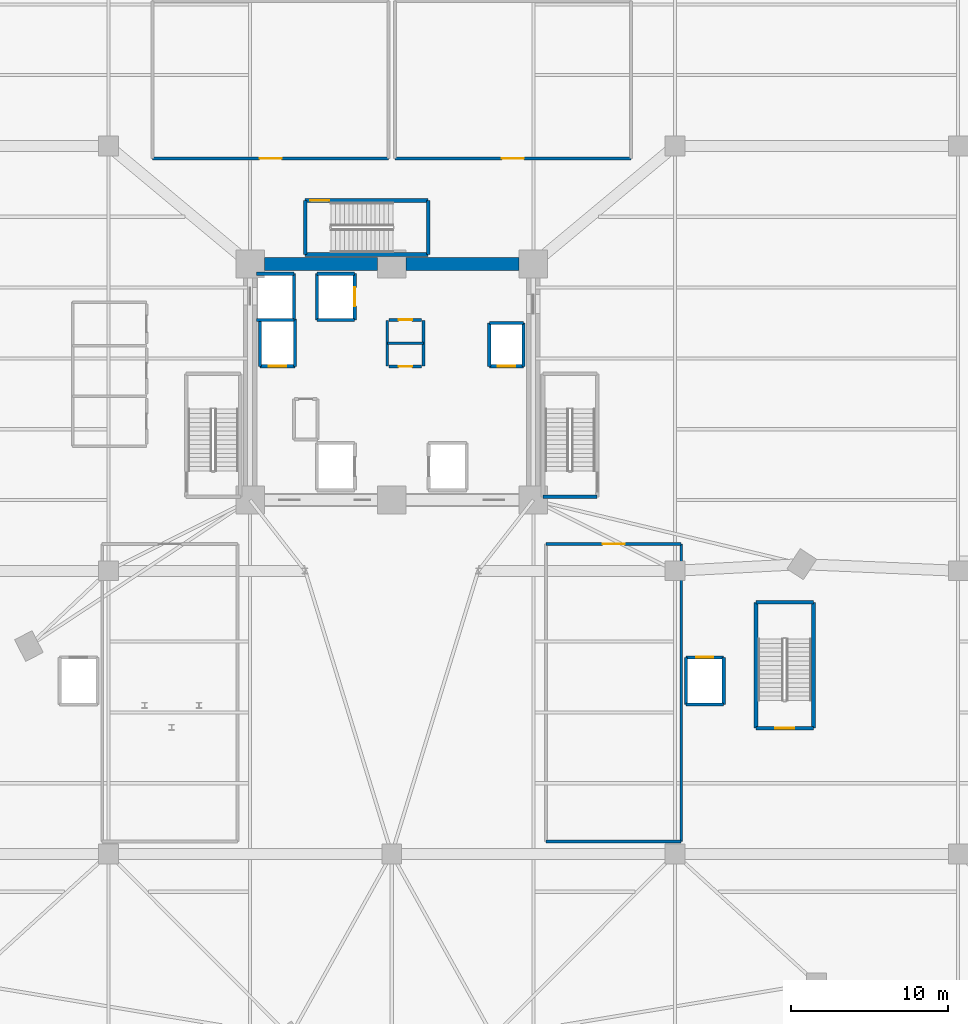
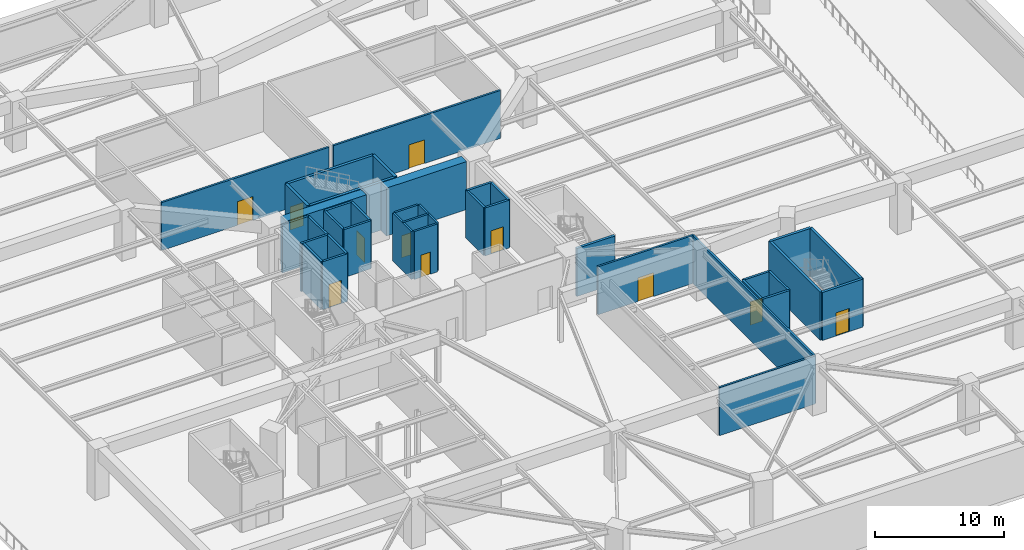
# One storey, part 13 of 20: 39 walls, 11 doors, 11 openings.
"""IFC4 building model written with IfcOpenShell, lengths in metres."""

from ifc_helpers import new_model, si_unit, direction, frame, frame_2d, origin, place, context, subcontext, project, spatial, rectangle, extrude, source, transform, mapped, material, layer, layer_set, type_object, element, fill, save


model = new_model("IFC4")

# Units and contexts
model_context = context("Model", 3, precision=1e-05, world=origin(), true_north=direction((0.0, 1.0)))
body_context = subcontext(model_context, "Body", "Model", "MODEL_VIEW")
ifc_project = project(units=[si_unit("LENGTHUNIT", "METRE"), si_unit("AREAUNIT", "SQUARE_METRE"), si_unit("VOLUMEUNIT", "CUBIC_METRE"), si_unit("PLANEANGLEUNIT", "RADIAN"), si_unit("MASSUNIT", "GRAM", prefix="KILO")], contexts=[model_context])

# Site, building, storey
site_placement = place(None, origin())
site = spatial("IfcSite", under=ifc_project, at=site_placement, CompositionType="ELEMENT")
building_placement = place(site_placement, origin())
building = spatial("IfcBuilding", under=site, at=building_placement, Name="Liaohun Quay Tower", CompositionType="ELEMENT")
storey_placement = place(building_placement, frame((0.0, 0.0, -4.800048828125)))
storey = spatial("IfcBuildingStorey", under=building, at=storey_placement, Name="B1", CompositionType="ELEMENT", Elevation=-4.800048828125)

# Walls
ifc_material_1 = material(Name="Concrete C60", Category="concrete")
ifc_layer_1 = layer(ifc_material_1, 0.85009765625, Name="Concrete C60", Category="concrete")
ifc_layer_set_1 = layer_set([ifc_layer_1], Name="Concrete C60")
wall_type_1 = type_object("IfcWallType", Name="WAL-COR-Z1", PredefinedType="SHEAR", material=ifc_layer_set_1)
for number, where, z_axis, x_axis, name in (
    (1, (51.89990234375, 61.5, 0.0), (0.0, 0.0, 1.0), (1.0, 0.0, 0.0), "B1 Central Core Shear Wall N-W"),
    (2, (60.89990234375, 61.5, 0.0), (0.0, 0.0, 1.0), (1.0, 0.0, 0.0), "B1 Central Core Shear Wall N-E"),
):
    element("IfcWall", number, at=place(storey_placement, frame(where, z_axis=z_axis, x_axis=x_axis)), inside=storey, type_object=wall_type_1, Name=name, PredefinedType="SHEAR", context=body_context, shape_type="SweptSolid", body=[
        extrude(rectangle(XDim=7.2001953125, YDim=0.85009765625, at=frame_2d((3.60009765625, 0.0))), origin(), (0.0, 0.0, 1.0), 4.550048828125),
    ])

# Wall, opening, door
ifc_material_2 = material(Name="Autoclaved aerated concrete blockwork", Category="masonry")
ifc_layer_2 = layer(ifc_material_2, 0.179931640625, Name="Autoclaved aerated concrete blockwork", Category="masonry")
ifc_layer_set_2 = layer_set([ifc_layer_2], Name="Autoclaved aerated concrete blockwork")
wall_type_2 = type_object("IfcWallType", Name="WAL-PRT-COR", PredefinedType="PARTITIONING", material=ifc_layer_set_2)
wall_1_placement = place(storey_placement, frame((59.840087890625, 54.97998046875, 0.0), z_axis=(0.0, 0.0, 1.0), x_axis=(1.0, 0.0, 0.0)))
wall_1 = element("IfcWall", 3, at=wall_1_placement, inside=storey, type_object=wall_type_2, Name="B1 Interior Partition Wall 001", PredefinedType="PARTITIONING", context=body_context, shape_type="SweptSolid", body=[
    extrude(rectangle(XDim=2.059814453125, YDim=0.179931640625, at=frame_2d((1.02978515625, 0.0))), origin(), (0.0, 0.0, 1.0), 4.550048828125),
])
shared_shape_1 = source(origin(), body_context, "Body", "SweptSolid", [
    extrude(rectangle(XDim=0.85009765625, YDim=2.10009765625, at=frame_2d((0.425048828125, 1.050048828125))), frame((0.0, 0.099853515625, 0.0), z_axis=(0.0, -1.0, 0.0), x_axis=(1.0, 0.0, 0.0)), (0.0, 0.0, 1.0), 0.199951171875),
])
opening_1_placement = place(wall_1_placement, frame((0.60498046875, 0.0, 0.0)))
opening_1 = element("IfcOpeningElement", 4, at=opening_1_placement, cuts=wall_1, Name="Opening AD1", PredefinedType="OPENING", context=body_context, shape_type="MappedRepresentation", body=[
    mapped(shared_shape_1, transform((0.0, 0.0, 0.0), x_axis=(1.0, 0.0, 0.0), y_axis=(0.0, 1.0, 0.0), z_axis=(0.0, 0.0, 1.0), scale=1.0)),
])
ifc_material_3 = material(Name="Steel riser inspection fire door", Category="steel")
door_type_1 = type_object("IfcDoorType", Name="DOR-SHF-850", OperationType="NOTDEFINED", PredefinedType="DOOR", material=ifc_material_3)
shared_shape_2 = source(origin(), body_context, "Body", "SweptSolid", [
    extrude(rectangle(XDim=0.85009765625, YDim=2.10009765625, at=frame_2d((0.425048828125, 1.050048828125))), frame((0.0, 0.02490234375, 0.0), z_axis=(0.0, -1.0, 0.0), x_axis=(1.0, 0.0, 0.0)), (0.0, 0.0, 1.0), 0.050048828125),
])
door_1_placement = place(opening_1_placement, origin())
door_1 = element("IfcDoor", 5, at=door_1_placement, inside=storey, type_object=door_type_1, Name="B1 Electrical Riser Room Door", OperationType="SINGLE_SWING_RIGHT", OverallHeight=2.10009765625, OverallWidth=0.85009765625, PredefinedType="DOOR", context=body_context, shape_type="MappedRepresentation", body=[
    mapped(shared_shape_2, transform((0.0, 0.0, 0.0), x_axis=(1.0, 0.0, 0.0), y_axis=(0.0, 1.0, 0.0), z_axis=(0.0, 0.0, 1.0), scale=1.0)),
])
fill(opening_1, door_1)

wall_2_placement = place(storey_placement, frame((59.840087890625, 57.949951171875, 0.0), z_axis=(0.0, 0.0, 1.0), x_axis=(1.0, 0.0, 0.0)))
wall_2 = element("IfcWall", 6, at=wall_2_placement, inside=storey, type_object=wall_type_2, Name="B1 Interior Partition Wall 002", PredefinedType="PARTITIONING", context=body_context, shape_type="SweptSolid", body=[
    extrude(rectangle(XDim=2.059814453125, YDim=0.179931640625, at=frame_2d((1.02978515625, 0.0))), origin(), (0.0, 0.0, 1.0), 4.550048828125),
])
opening_2_placement = place(wall_2_placement, frame((0.60498046875, 0.0, 0.0)))
opening_2 = element("IfcOpeningElement", 7, at=opening_2_placement, cuts=wall_2, Name="Opening AD1", PredefinedType="OPENING", context=body_context, shape_type="MappedRepresentation", body=[
    mapped(shared_shape_1, transform((0.0, 0.0, 0.0), x_axis=(1.0, 0.0, 0.0), y_axis=(0.0, 1.0, 0.0), z_axis=(0.0, 0.0, 1.0), scale=1.0)),
])
door_2_placement = place(opening_2_placement, origin())
door_2 = element("IfcDoor", 8, at=door_2_placement, inside=storey, type_object=door_type_1, Name="B1 Telecom Comms Closet Door", OperationType="SINGLE_SWING_LEFT", OverallHeight=2.10009765625, OverallWidth=0.85009765625, PredefinedType="DOOR", context=body_context, shape_type="MappedRepresentation", body=[
    mapped(shared_shape_2, transform((0.0, 0.0, 0.0), x_axis=(1.0, 0.0, 0.0), y_axis=(0.0, 1.0, 0.0), z_axis=(0.0, 0.0, 1.0), scale=1.0)),
])
fill(opening_2, door_2)

wall_3_placement = place(storey_placement, frame((69.800048828125, 43.699951171875, 0.0), z_axis=(0.0, 0.0, 1.0), x_axis=(1.0, 0.0, 0.0)))
wall_3 = element("IfcWall", 9, at=wall_3_placement, inside=storey, type_object=wall_type_2, Name="B1 Interior Partition Wall 008", PredefinedType="PARTITIONING", context=body_context, shape_type="SweptSolid", body=[
    extrude(rectangle(XDim=8.599853515625, YDim=0.179931640625, at=frame_2d((4.2998046875, 0.0))), origin(), (0.0, 0.0, 1.0), 4.550048828125),
])
shared_shape_3 = source(origin(), body_context, "Body", "SweptSolid", [
    extrude(rectangle(XDim=1.39990234375, YDim=2.25, at=frame_2d((0.699951171875, 1.125))), frame((0.0, 0.099853515625, 0.0), z_axis=(0.0, -1.0, 0.0), x_axis=(1.0, 0.0, 0.0)), (0.0, 0.0, 1.0), 0.199951171875),
])
opening_3_placement = place(wall_3_placement, frame((3.60009765625, 0.0, 0.0)))
opening_3 = element("IfcOpeningElement", 10, at=opening_3_placement, cuts=wall_3, Name="Opening MD1", PredefinedType="OPENING", context=body_context, shape_type="MappedRepresentation", body=[
    mapped(shared_shape_3, transform((0.0, 0.0, 0.0), x_axis=(1.0, 0.0, 0.0), y_axis=(0.0, 1.0, 0.0), z_axis=(0.0, 0.0, 1.0), scale=1.0)),
])
ifc_material_4 = material(Name="Insulated steel plant room door", Category="steel")
door_type_2 = type_object("IfcDoorType", Name="DOR-MEP-1400", OperationType="DOUBLE_DOOR_SINGLE_SWING", PredefinedType="DOOR", material=ifc_material_4)
shared_shape_4 = source(origin(), body_context, "Body", "SweptSolid", [
    extrude(rectangle(XDim=1.39990234375, YDim=2.25, at=frame_2d((0.699951171875, 1.125))), frame((0.0, 0.02490234375, 0.0), z_axis=(0.0, -1.0, 0.0), x_axis=(1.0, 0.0, 0.0)), (0.0, 0.0, 1.0), 0.050048828125),
])
door_3_placement = place(opening_3_placement, origin())
door_3 = element("IfcDoor", 11, at=door_3_placement, inside=storey, type_object=door_type_2, Name="B1 Fire Sprinkler and Domestic Water Pump Room Door", OperationType="DOUBLE_DOOR_SINGLE_SWING", OverallHeight=2.25, OverallWidth=1.39990234375, PredefinedType="DOOR", context=body_context, shape_type="MappedRepresentation", body=[
    mapped(shared_shape_4, transform((0.0, 0.0, 0.0), x_axis=(1.0, 0.0, 0.0), y_axis=(0.0, 1.0, 0.0), z_axis=(0.0, 0.0, 1.0), scale=1.0)),
])
fill(opening_3, door_3)

wall_4_placement = place(storey_placement, frame((44.800048828125, 68.199951171875, 0.0), z_axis=(0.0, 0.0, 1.0), x_axis=(1.0, 0.0, 0.0)))
wall_4 = element("IfcWall", 12, at=wall_4_placement, inside=storey, type_object=wall_type_2, Name="B1 Interior Partition Wall 009", PredefinedType="PARTITIONING", context=body_context, shape_type="SweptSolid", body=[
    extrude(rectangle(XDim=15.0, YDim=0.179931640625, at=frame_2d((7.5, 0.0))), origin(), (0.0, 0.0, 1.0), 4.550048828125),
])
opening_4_placement = place(wall_4_placement, frame((6.800048828125, 0.0, 0.0)))
opening_4 = element("IfcOpeningElement", 13, at=opening_4_placement, cuts=wall_4, Name="Opening MD1", PredefinedType="OPENING", context=body_context, shape_type="MappedRepresentation", body=[
    mapped(shared_shape_3, transform((0.0, 0.0, 0.0), x_axis=(1.0, 0.0, 0.0), y_axis=(0.0, 1.0, 0.0), z_axis=(0.0, 0.0, 1.0), scale=1.0)),
])
door_4_placement = place(opening_4_placement, origin())
door_4 = element("IfcDoor", 14, at=door_4_placement, inside=storey, type_object=door_type_2, Name="B1 Low-Voltage Switchgear and UPS Plant Room Door", OperationType="DOUBLE_DOOR_SINGLE_SWING", OverallHeight=2.25, OverallWidth=1.39990234375, PredefinedType="DOOR", context=body_context, shape_type="MappedRepresentation", body=[
    mapped(shared_shape_4, transform((0.0, 0.0, 0.0), x_axis=(1.0, 0.0, 0.0), y_axis=(0.0, 1.0, 0.0), z_axis=(0.0, 0.0, 1.0), scale=1.0)),
])
fill(opening_4, door_4)

wall_5_placement = place(storey_placement, frame((60.199951171875, 68.199951171875, 0.0), z_axis=(0.0, 0.0, 1.0), x_axis=(1.0, 0.0, 0.0)))
wall_5 = element("IfcWall", 15, at=wall_5_placement, inside=storey, type_object=wall_type_2, Name="B1 Interior Partition Wall 010", PredefinedType="PARTITIONING", context=body_context, shape_type="SweptSolid", body=[
    extrude(rectangle(XDim=15.0, YDim=0.179931640625, at=frame_2d((7.5, 0.0))), origin(), (0.0, 0.0, 1.0), 4.550048828125),
])
opening_5_placement = place(wall_5_placement, frame((6.800048828125, 0.0, 0.0)))
opening_5 = element("IfcOpeningElement", 16, at=opening_5_placement, cuts=wall_5, Name="Opening MD1", PredefinedType="OPENING", context=body_context, shape_type="MappedRepresentation", body=[
    mapped(shared_shape_3, transform((0.0, 0.0, 0.0), x_axis=(1.0, 0.0, 0.0), y_axis=(0.0, 1.0, 0.0), z_axis=(0.0, 0.0, 1.0), scale=1.0)),
])
door_5_placement = place(opening_5_placement, origin())
door_5 = element("IfcDoor", 17, at=door_5_placement, inside=storey, type_object=door_type_2, Name="B1 Basement Facilities Archive and Bicycle Store Door", OperationType="DOUBLE_DOOR_SINGLE_SWING", OverallHeight=2.25, OverallWidth=1.39990234375, PredefinedType="DOOR", context=body_context, shape_type="MappedRepresentation", body=[
    mapped(shared_shape_4, transform((0.0, 0.0, 0.0), x_axis=(1.0, 0.0, 0.0), y_axis=(0.0, 1.0, 0.0), z_axis=(0.0, 0.0, 1.0), scale=1.0)),
])
fill(opening_5, door_5)

# Walls
for number, where, z_axis, x_axis, name in (
    (18, (59.719970703125, 55.02001953125, 0.0), (0.0, 0.0, 1.0), (0.0, 1.0, 0.0), "B1 Interior Partition Wall 011"),
    (19, (62.010009765625, 55.02001953125, 0.0), (0.0, 0.0, 1.0), (0.0, 1.0, 0.0), "B1 Interior Partition Wall 012"),
):
    element("IfcWall", number, at=place(storey_placement, frame(where, z_axis=z_axis, x_axis=x_axis)), inside=storey, type_object=wall_type_2, Name=name, PredefinedType="PARTITIONING", context=body_context, shape_type="SweptSolid", body=[
        extrude(rectangle(XDim=2.8798828125, YDim=0.179931640625, at=frame_2d((1.43994140625, 0.0))), origin(), (0.0, 0.0, 1.0), 4.550048828125),
    ])
wall_6_placement = place(storey_placement, frame((59.719970703125, 56.4599609375, 0.0), z_axis=(0.0, 0.0, 1.0), x_axis=(1.0, 0.0, 0.0)))
element("IfcWall", 20, at=wall_6_placement, inside=storey, type_object=wall_type_2, Name="B1 Interior Partition Wall 013", PredefinedType="PARTITIONING", context=body_context, shape_type="SweptSolid", body=[
    extrude(rectangle(XDim=2.2900390625, YDim=0.179931640625, at=frame_2d((1.14501953125, 0.0))), origin(), (0.0, 0.0, 1.0), 4.550048828125),
])
wall_7_placement = place(storey_placement, frame((69.800048828125, 24.800048828125, 0.0), z_axis=(0.0, 0.0, 1.0), x_axis=(1.0, 0.0, 0.0)))
element("IfcWall", 21, at=wall_7_placement, inside=storey, type_object=wall_type_2, Name="B1 Interior Partition Wall 025", PredefinedType="PARTITIONING", context=body_context, shape_type="SweptSolid", body=[
    extrude(rectangle(XDim=8.599853515625, YDim=0.179931640625, at=frame_2d((4.2998046875, 0.0))), origin(), (0.0, 0.0, 1.0), 4.550048828125),
])
wall_8_placement = place(storey_placement, frame((78.39990234375, 24.800048828125, 0.0), z_axis=(0.0, 0.0, 1.0), x_axis=(0.0, 1.0, 0.0)))
element("IfcWall", 22, at=wall_8_placement, inside=storey, type_object=wall_type_2, Name="B1 Interior Partition Wall 027", PredefinedType="PARTITIONING", context=body_context, shape_type="SweptSolid", body=[
    extrude(rectangle(XDim=18.89990234375, YDim=0.179931640625, at=frame_2d((9.449951171875, 0.0))), origin(), (0.0, 0.0, 1.0), 4.550048828125),
])
ifc_material_5 = material(Name="Concrete C50", Category="concrete")
ifc_layer_3 = layer(ifc_material_5, 0.239990234375, Name="Concrete C50", Category="concrete")
ifc_layer_set_3 = layer_set([ifc_layer_3], Name="Concrete C50")
wall_type_3 = type_object("IfcWallType", Name="WAL-SHF-200", PredefinedType="SOLIDWALL", material=ifc_layer_set_3)
wall_9_placement = place(storey_placement, frame((69.6201171875, 46.699951171875, 0.0), z_axis=(0.0, 0.0, 1.0), x_axis=(1.0, 0.0, 0.0)))
element("IfcWall", 23, at=wall_9_placement, inside=storey, type_object=wall_type_3, Name="B1 Stairwell ST-2 Structural Core Wall S", PredefinedType="SOLIDWALL", context=body_context, shape_type="SweptSolid", body=[
    extrude(rectangle(XDim=3.43994140625, YDim=0.239990234375, at=frame_2d((1.719970703125, 0.0))), origin(), (0.0, 0.0, 1.0), 4.550048828125),
])
wall_10_placement = place(storey_placement, frame((54.5, 62.10009765625, 0.0), z_axis=(0.0, 0.0, 1.0), x_axis=(1.0, 0.0, 0.0)))
element("IfcWall", 24, at=wall_10_placement, inside=storey, type_object=wall_type_3, Name="B1 Stairwell ST-3 Structural Core Wall S", PredefinedType="SOLIDWALL", context=body_context, shape_type="SweptSolid", body=[
    extrude(rectangle(XDim=7.820068359375, YDim=0.239990234375, at=frame_2d((3.91015625, 0.0))), origin(), (0.0, 0.0, 1.0), 4.550048828125),
])
wall_11_placement = place(storey_placement, frame((62.320068359375, 62.10009765625, 0.0), z_axis=(0.0, 0.0, 1.0), x_axis=(0.0, 1.0, 0.0)))
element("IfcWall", 25, at=wall_11_placement, inside=storey, type_object=wall_type_3, Name="B1 Stairwell ST-3 Structural Core Wall E", PredefinedType="SOLIDWALL", context=body_context, shape_type="SweptSolid", body=[
    extrude(rectangle(XDim=3.43994140625, YDim=0.239990234375, at=frame_2d((1.719970703125, 0.0))), origin(), (0.0, 0.0, 1.0), 4.550048828125),
])

# Wall, opening, door
wall_12_placement = place(storey_placement, frame((62.320068359375, 65.5400390625, 0.0), z_axis=(0.0, 0.0, 1.0), x_axis=(-1.0, 0.0, 0.0)))
wall_12 = element("IfcWall", 26, at=wall_12_placement, inside=storey, type_object=wall_type_3, Name="B1 Stairwell ST-3 Structural Core Wall N", PredefinedType="SOLIDWALL", context=body_context, shape_type="SweptSolid", body=[
    extrude(rectangle(XDim=7.820068359375, YDim=0.239990234375, at=frame_2d((3.91015625, 0.0))), origin(), (0.0, 0.0, 1.0), 4.550048828125),
])
shared_shape_5 = source(origin(), body_context, "Body", "SweptSolid", [
    extrude(rectangle(XDim=1.199951171875, YDim=2.199951171875, at=frame_2d((0.60009765625, 1.10009765625))), frame((0.0, 0.1298828125, 0.0), z_axis=(0.0, -1.0, 0.0), x_axis=(1.0, 0.0, 0.0)), (0.0, 0.0, 1.0), 0.260009765625),
])
opening_6_placement = place(wall_12_placement, frame((6.300048828125, 0.0, 0.0)))
opening_6 = element("IfcOpeningElement", 27, at=opening_6_placement, cuts=wall_12, Name="Opening SD1", PredefinedType="OPENING", context=body_context, shape_type="MappedRepresentation", body=[
    mapped(shared_shape_5, transform((0.0, 0.0, 0.0), x_axis=(1.0, 0.0, 0.0), y_axis=(0.0, 1.0, 0.0), z_axis=(0.0, 0.0, 1.0), scale=1.0)),
])
ifc_material_6 = material(Name="Galvanised steel fire door", Category="steel")
door_type_3 = type_object("IfcDoorType", Name="DOR-STR-1200", OperationType="NOTDEFINED", PredefinedType="DOOR", material=ifc_material_6)
shared_shape_6 = source(origin(), body_context, "Body", "SweptSolid", [
    extrude(rectangle(XDim=1.199951171875, YDim=2.199951171875, at=frame_2d((0.60009765625, 1.10009765625))), frame((0.0, 0.02490234375, 0.0), z_axis=(0.0, -1.0, 0.0), x_axis=(1.0, 0.0, 0.0)), (0.0, 0.0, 1.0), 0.050048828125),
])
door_6_placement = place(opening_6_placement, origin())
door_6 = element("IfcDoor", 28, at=door_6_placement, inside=storey, type_object=door_type_3, Name="B1 Protected Stair ST-3 Fire Door", OperationType="SINGLE_SWING_RIGHT", OverallHeight=2.199951171875, OverallWidth=1.199951171875, PredefinedType="DOOR", context=body_context, shape_type="MappedRepresentation", body=[
    mapped(shared_shape_6, transform((0.0, 0.0, 0.0), x_axis=(1.0, 0.0, 0.0), y_axis=(0.0, 1.0, 0.0), z_axis=(0.0, 0.0, 1.0), scale=1.0)),
])
fill(opening_6, door_6)

# Wall
wall_13_placement = place(storey_placement, frame((54.5, 65.5400390625, 0.0), z_axis=(0.0, 0.0, 1.0), x_axis=(0.0, -1.0, 0.0)))
element("IfcWall", 29, at=wall_13_placement, inside=storey, type_object=wall_type_3, Name="B1 Stairwell ST-3 Structural Core Wall W", PredefinedType="SOLIDWALL", context=body_context, shape_type="SweptSolid", body=[
    extrude(rectangle(XDim=3.43994140625, YDim=0.239990234375, at=frame_2d((1.719970703125, 0.0))), origin(), (0.0, 0.0, 1.0), 4.550048828125),
])

# Wall, opening, door
wall_14_placement = place(storey_placement, frame((83.159912109375, 32.0, 0.0), z_axis=(0.0, 0.0, 1.0), x_axis=(1.0, 0.0, 0.0)))
wall_14 = element("IfcWall", 30, at=wall_14_placement, inside=storey, type_object=wall_type_3, Name="B1 Stairwell ST-P2 Structural Core Wall S", PredefinedType="SOLIDWALL", context=body_context, shape_type="SweptSolid", body=[
    extrude(rectangle(XDim=3.64013671875, YDim=0.239990234375, at=frame_2d((1.820068359375, 0.0))), origin(), (0.0, 0.0, 1.0), 4.550048828125),
])
opening_7_placement = place(wall_14_placement, frame((1.219970703125, 0.0, 0.0)))
opening_7 = element("IfcOpeningElement", 31, at=opening_7_placement, cuts=wall_14, Name="Opening SD1", PredefinedType="OPENING", context=body_context, shape_type="MappedRepresentation", body=[
    mapped(shared_shape_5, transform((0.0, 0.0, 0.0), x_axis=(1.0, 0.0, 0.0), y_axis=(0.0, 1.0, 0.0), z_axis=(0.0, 0.0, 1.0), scale=1.0)),
])
door_7_placement = place(opening_7_placement, origin())
door_7 = element("IfcDoor", 32, at=door_7_placement, inside=storey, type_object=door_type_3, Name="B1 Protected Stair ST-P2 Fire Door", OperationType="SINGLE_SWING_RIGHT", OverallHeight=2.199951171875, OverallWidth=1.199951171875, PredefinedType="DOOR", context=body_context, shape_type="MappedRepresentation", body=[
    mapped(shared_shape_6, transform((0.0, 0.0, 0.0), x_axis=(1.0, 0.0, 0.0), y_axis=(0.0, 1.0, 0.0), z_axis=(0.0, 0.0, 1.0), scale=1.0)),
])
fill(opening_7, door_7)

# Walls
wall_15_placement = place(storey_placement, frame((86.800048828125, 32.0, 0.0), z_axis=(0.0, 0.0, 1.0), x_axis=(0.0, 1.0, 0.0)))
element("IfcWall", 33, at=wall_15_placement, inside=storey, type_object=wall_type_3, Name="B1 Stairwell ST-P2 Structural Core Wall E", PredefinedType="SOLIDWALL", context=body_context, shape_type="SweptSolid", body=[
    extrude(rectangle(XDim=8.0, YDim=0.239990234375, at=frame_2d((4.0, 0.0))), origin(), (0.0, 0.0, 1.0), 4.550048828125),
])
wall_16_placement = place(storey_placement, frame((86.800048828125, 40.0, 0.0), z_axis=(0.0, 0.0, 1.0), x_axis=(-1.0, 0.0, 0.0)))
element("IfcWall", 34, at=wall_16_placement, inside=storey, type_object=wall_type_3, Name="B1 Stairwell ST-P2 Structural Core Wall N", PredefinedType="SOLIDWALL", context=body_context, shape_type="SweptSolid", body=[
    extrude(rectangle(XDim=3.64013671875, YDim=0.239990234375, at=frame_2d((1.820068359375, 0.0))), origin(), (0.0, 0.0, 1.0), 4.550048828125),
])
wall_17_placement = place(storey_placement, frame((83.159912109375, 40.0, 0.0), z_axis=(0.0, 0.0, 1.0), x_axis=(0.0, -1.0, 0.0)))
element("IfcWall", 35, at=wall_17_placement, inside=storey, type_object=wall_type_3, Name="B1 Stairwell ST-P2 Structural Core Wall W", PredefinedType="SOLIDWALL", context=body_context, shape_type="SweptSolid", body=[
    extrude(rectangle(XDim=8.0, YDim=0.239990234375, at=frame_2d((4.0, 0.0))), origin(), (0.0, 0.0, 1.0), 4.550048828125),
])
wall_18_placement = place(storey_placement, frame((55.25, 57.949951171875, 0.0), z_axis=(0.0, 0.0, 1.0), x_axis=(1.0, 0.0, 0.0)))
element("IfcWall", 36, at=wall_18_placement, inside=storey, type_object=wall_type_3, Name="B1 Lift FF-03 Hoistway Wall S", PredefinedType="SOLIDWALL", context=body_context, shape_type="SweptSolid", body=[
    extrude(rectangle(XDim=2.39990234375, YDim=0.199951171875, at=frame_2d((1.199951171875, 0.0))), origin(), (0.0, 0.0, 1.0), 4.550048828125),
])

# Wall, opening, door
wall_19_placement = place(storey_placement, frame((57.64990234375, 57.949951171875, 0.0), z_axis=(0.0, 0.0, 1.0), x_axis=(0.0, 1.0, 0.0)))
wall_19 = element("IfcWall", 37, at=wall_19_placement, inside=storey, type_object=wall_type_3, Name="B1 Lift FF-03 Hoistway Wall E", PredefinedType="SOLIDWALL", context=body_context, shape_type="SweptSolid", body=[
    extrude(rectangle(XDim=2.929931640625, YDim=0.199951171875, at=frame_2d((1.46484375, 0.0))), origin(), (0.0, 0.0, 1.0), 4.550048828125),
])
shared_shape_7 = source(origin(), body_context, "Body", "SweptSolid", [
    extrude(rectangle(XDim=1.199951171875, YDim=2.300048828125, at=frame_2d((0.60009765625, 1.14990234375))), frame((0.0, 0.10986328125, 0.0), z_axis=(0.0, -1.0, 0.0), x_axis=(1.0, 0.0, 0.0)), (0.0, 0.0, 1.0), 0.219970703125),
])
opening_8_placement = place(wall_19_placement, frame((0.864990234375, 0.0, 0.0)))
opening_8 = element("IfcOpeningElement", 38, at=opening_8_placement, cuts=wall_19, Name="Opening LD2", PredefinedType="OPENING", context=body_context, shape_type="MappedRepresentation", body=[
    mapped(shared_shape_7, transform((0.0, 0.0, 0.0), x_axis=(1.0, 0.0, 0.0), y_axis=(0.0, 1.0, 0.0), z_axis=(0.0, 0.0, 1.0), scale=1.0)),
])
ifc_material_7 = material(Name="Brushed stainless steel stretcher landing door", Category="steel")
door_type_4 = type_object("IfcDoorType", Name="DOR-LFT-1200", OperationType="SLIDING_TO_LEFT", PredefinedType="DOOR", material=ifc_material_7)
shared_shape_8 = source(origin(), body_context, "Body", "SweptSolid", [
    extrude(rectangle(XDim=1.199951171875, YDim=2.300048828125, at=frame_2d((0.60009765625, 1.14990234375))), frame((0.0, 0.02490234375, 0.0), z_axis=(0.0, -1.0, 0.0), x_axis=(1.0, 0.0, 0.0)), (0.0, 0.0, 1.0), 0.050048828125),
])
door_8_placement = place(opening_8_placement, origin())
door_8 = element("IfcDoor", 39, at=door_8_placement, inside=storey, type_object=door_type_4, Name="B1 Lift FF-03 Sliding Landing Door", OperationType="SLIDING_TO_LEFT", OverallHeight=2.300048828125, OverallWidth=1.199951171875, PredefinedType="DOOR", context=body_context, shape_type="MappedRepresentation", body=[
    mapped(shared_shape_8, transform((0.0, 0.0, 0.0), x_axis=(1.0, 0.0, 0.0), y_axis=(0.0, 1.0, 0.0), z_axis=(0.0, 0.0, 1.0), scale=1.0)),
])
fill(opening_8, door_8)

# Walls
wall_20_placement = place(storey_placement, frame((57.64990234375, 60.8798828125, 0.0), z_axis=(0.0, 0.0, 1.0), x_axis=(-1.0, 0.0, 0.0)))
element("IfcWall", 40, at=wall_20_placement, inside=storey, type_object=wall_type_3, Name="B1 Lift FF-03 Hoistway Wall N", PredefinedType="SOLIDWALL", context=body_context, shape_type="SweptSolid", body=[
    extrude(rectangle(XDim=2.39990234375, YDim=0.199951171875, at=frame_2d((1.199951171875, 0.0))), origin(), (0.0, 0.0, 1.0), 4.550048828125),
])
wall_21_placement = place(storey_placement, frame((55.25, 60.8798828125, 0.0), z_axis=(0.0, 0.0, 1.0), x_axis=(0.0, -1.0, 0.0)))
element("IfcWall", 41, at=wall_21_placement, inside=storey, type_object=wall_type_3, Name="B1 Lift FF-03 Hoistway Wall W", PredefinedType="SOLIDWALL", context=body_context, shape_type="SweptSolid", body=[
    extrude(rectangle(XDim=2.929931640625, YDim=0.199951171875, at=frame_2d((1.46484375, 0.0))), origin(), (0.0, 0.0, 1.0), 4.550048828125),
])
wall_22_placement = place(storey_placement, frame((51.39990234375, 57.949951171875, 0.0), z_axis=(0.0, 0.0, 1.0), x_axis=(1.0, 0.0, 0.0)))
element("IfcWall", 42, at=wall_22_placement, inside=storey, type_object=wall_type_3, Name="B1 Lift SH-01 Hoistway Wall S", PredefinedType="SOLIDWALL", context=body_context, shape_type="SweptSolid", body=[
    extrude(rectangle(XDim=2.400146484375, YDim=0.199951171875, at=frame_2d((1.2001953125, 0.0))), origin(), (0.0, 0.0, 1.0), 4.550048828125),
])
wall_23_placement = place(storey_placement, frame((53.800048828125, 57.949951171875, 0.0), z_axis=(0.0, 0.0, 1.0), x_axis=(0.0, 1.0, 0.0)))
element("IfcWall", 43, at=wall_23_placement, inside=storey, type_object=wall_type_3, Name="B1 Lift SH-01 Hoistway Wall E", PredefinedType="SOLIDWALL", context=body_context, shape_type="SweptSolid", body=[
    extrude(rectangle(XDim=2.929931640625, YDim=0.199951171875, at=frame_2d((1.46484375, 0.0))), origin(), (0.0, 0.0, 1.0), 4.550048828125),
])
wall_24_placement = place(storey_placement, frame((53.800048828125, 60.8798828125, 0.0), z_axis=(0.0, 0.0, 1.0), x_axis=(-1.0, 0.0, 0.0)))
element("IfcWall", 44, at=wall_24_placement, inside=storey, type_object=wall_type_3, Name="B1 Lift SH-01 Hoistway Wall N", PredefinedType="SOLIDWALL", context=body_context, shape_type="SweptSolid", body=[
    extrude(rectangle(XDim=2.400146484375, YDim=0.199951171875, at=frame_2d((1.2001953125, 0.0))), origin(), (0.0, 0.0, 1.0), 4.550048828125),
])

# Wall, opening, door
wall_25_placement = place(storey_placement, frame((51.6201171875, 55.0, 0.0), z_axis=(0.0, 0.0, 1.0), x_axis=(1.0, 0.0, 0.0)))
wall_25 = element("IfcWall", 45, at=wall_25_placement, inside=storey, type_object=wall_type_3, Name="B1 Lift SH-02 Hoistway Wall S", PredefinedType="SOLIDWALL", context=body_context, shape_type="SweptSolid", body=[
    extrude(rectangle(XDim=2.22998046875, YDim=0.199951171875, at=frame_2d((1.114990234375, 0.0))), origin(), (0.0, 0.0, 1.0), 4.550048828125),
])
shared_shape_9 = source(origin(), body_context, "Body", "SweptSolid", [
    extrude(rectangle(XDim=1.10009765625, YDim=2.199951171875, at=frame_2d((0.550048828125, 1.10009765625))), frame((0.0, 0.10986328125, 0.0), z_axis=(0.0, -1.0, 0.0), x_axis=(1.0, 0.0, 0.0)), (0.0, 0.0, 1.0), 0.219970703125),
])
opening_9_placement = place(wall_25_placement, frame((0.56494140625, 0.0, 0.0)))
opening_9 = element("IfcOpeningElement", 46, at=opening_9_placement, cuts=wall_25, Name="Opening LD1", PredefinedType="OPENING", context=body_context, shape_type="MappedRepresentation", body=[
    mapped(shared_shape_9, transform((0.0, 0.0, 0.0), x_axis=(1.0, 0.0, 0.0), y_axis=(0.0, 1.0, 0.0), z_axis=(0.0, 0.0, 1.0), scale=1.0)),
])
ifc_material_8 = material(Name="Brushed stainless steel landing door", Category="steel")
door_type_5 = type_object("IfcDoorType", Name="DOR-LFT-1100", OperationType="SLIDING_TO_LEFT", PredefinedType="DOOR", material=ifc_material_8)
shared_shape_10 = source(origin(), body_context, "Body", "SweptSolid", [
    extrude(rectangle(XDim=1.10009765625, YDim=2.199951171875, at=frame_2d((0.550048828125, 1.10009765625))), frame((0.0, 0.02490234375, 0.0), z_axis=(0.0, -1.0, 0.0), x_axis=(1.0, 0.0, 0.0)), (0.0, 0.0, 1.0), 0.050048828125),
])
door_9_placement = place(opening_9_placement, origin())
door_9 = element("IfcDoor", 47, at=door_9_placement, inside=storey, type_object=door_type_5, Name="B1 Lift SH-02 Sliding Landing Door", OperationType="SLIDING_TO_LEFT", OverallHeight=2.199951171875, OverallWidth=1.10009765625, PredefinedType="DOOR", context=body_context, shape_type="MappedRepresentation", body=[
    mapped(shared_shape_10, transform((0.0, 0.0, 0.0), x_axis=(1.0, 0.0, 0.0), y_axis=(0.0, 1.0, 0.0), z_axis=(0.0, 0.0, 1.0), scale=1.0)),
])
fill(opening_9, door_9)

# Walls
for number, where, z_axis, x_axis, name in (
    (48, (53.85009765625, 55.0, 0.0), (0.0, 0.0, 1.0), (0.0, 1.0, 0.0), "B1 Lift SH-02 Hoistway Wall E"),
    (49, (51.6201171875, 58.0, 0.0), (0.0, 0.0, 1.0), (0.0, -1.0, 0.0), "B1 Lift SH-02 Hoistway Wall W"),
):
    element("IfcWall", number, at=place(storey_placement, frame(where, z_axis=z_axis, x_axis=x_axis)), inside=storey, type_object=wall_type_3, Name=name, PredefinedType="SOLIDWALL", context=body_context, shape_type="SweptSolid", body=[
        extrude(rectangle(XDim=3.0, YDim=0.199951171875, at=frame_2d((1.5, 0.0))), origin(), (0.0, 0.0, 1.0), 4.550048828125),
    ])

# Wall, opening, door
wall_26_placement = place(storey_placement, frame((66.199951171875, 55.0, 0.0), z_axis=(0.0, 0.0, 1.0), x_axis=(1.0, 0.0, 0.0)))
wall_26 = element("IfcWall", 50, at=wall_26_placement, inside=storey, type_object=wall_type_3, Name="B1 Lift SH-03 Hoistway Wall S", PredefinedType="SOLIDWALL", context=body_context, shape_type="SweptSolid", body=[
    extrude(rectangle(XDim=2.179931640625, YDim=0.199951171875, at=frame_2d((1.08984375, 0.0))), origin(), (0.0, 0.0, 1.0), 4.550048828125),
])
opening_10_placement = place(wall_26_placement, frame((0.5400390625, 0.0, 0.0)))
opening_10 = element("IfcOpeningElement", 51, at=opening_10_placement, cuts=wall_26, Name="Opening LD1", PredefinedType="OPENING", context=body_context, shape_type="MappedRepresentation", body=[
    mapped(shared_shape_9, transform((0.0, 0.0, 0.0), x_axis=(1.0, 0.0, 0.0), y_axis=(0.0, 1.0, 0.0), z_axis=(0.0, 0.0, 1.0), scale=1.0)),
])
door_10_placement = place(opening_10_placement, origin())
door_10 = element("IfcDoor", 52, at=door_10_placement, inside=storey, type_object=door_type_5, Name="B1 Lift SH-03 Sliding Landing Door", OperationType="SLIDING_TO_LEFT", OverallHeight=2.199951171875, OverallWidth=1.10009765625, PredefinedType="DOOR", context=body_context, shape_type="MappedRepresentation", body=[
    mapped(shared_shape_10, transform((0.0, 0.0, 0.0), x_axis=(1.0, 0.0, 0.0), y_axis=(0.0, 1.0, 0.0), z_axis=(0.0, 0.0, 1.0), scale=1.0)),
])
fill(opening_10, door_10)

# Walls
wall_27_placement = place(storey_placement, frame((68.3798828125, 55.0, 0.0), z_axis=(0.0, 0.0, 1.0), x_axis=(0.0, 1.0, 0.0)))
element("IfcWall", 53, at=wall_27_placement, inside=storey, type_object=wall_type_3, Name="B1 Lift SH-03 Hoistway Wall E", PredefinedType="SOLIDWALL", context=body_context, shape_type="SweptSolid", body=[
    extrude(rectangle(XDim=2.75, YDim=0.199951171875, at=frame_2d((1.375, 0.0))), origin(), (0.0, 0.0, 1.0), 4.550048828125),
])
wall_28_placement = place(storey_placement, frame((68.3798828125, 57.75, 0.0), z_axis=(0.0, 0.0, 1.0), x_axis=(-1.0, 0.0, 0.0)))
element("IfcWall", 54, at=wall_28_placement, inside=storey, type_object=wall_type_3, Name="B1 Lift SH-03 Hoistway Wall N", PredefinedType="SOLIDWALL", context=body_context, shape_type="SweptSolid", body=[
    extrude(rectangle(XDim=2.179931640625, YDim=0.199951171875, at=frame_2d((1.08984375, 0.0))), origin(), (0.0, 0.0, 1.0), 4.550048828125),
])
wall_29_placement = place(storey_placement, frame((66.199951171875, 57.75, 0.0), z_axis=(0.0, 0.0, 1.0), x_axis=(0.0, -1.0, 0.0)))
element("IfcWall", 55, at=wall_29_placement, inside=storey, type_object=wall_type_3, Name="B1 Lift SH-03 Hoistway Wall W", PredefinedType="SOLIDWALL", context=body_context, shape_type="SweptSolid", body=[
    extrude(rectangle(XDim=2.75, YDim=0.199951171875, at=frame_2d((1.375, 0.0))), origin(), (0.0, 0.0, 1.0), 4.550048828125),
])
wall_30_placement = place(storey_placement, frame((78.699951171875, 33.5, 0.0), z_axis=(0.0, 0.0, 1.0), x_axis=(1.0, 0.0, 0.0)))
element("IfcWall", 56, at=wall_30_placement, inside=storey, type_object=wall_type_3, Name="B1 Lift PD-02 Hoistway Wall S", PredefinedType="SOLIDWALL", context=body_context, shape_type="SweptSolid", body=[
    extrude(rectangle(XDim=2.400146484375, YDim=0.199951171875, at=frame_2d((1.2001953125, 0.0))), origin(), (0.0, 0.0, 1.0), 4.550048828125),
])
wall_31_placement = place(storey_placement, frame((81.10009765625, 33.5, 0.0), z_axis=(0.0, 0.0, 1.0), x_axis=(0.0, 1.0, 0.0)))
element("IfcWall", 57, at=wall_31_placement, inside=storey, type_object=wall_type_3, Name="B1 Lift PD-02 Hoistway Wall E", PredefinedType="SOLIDWALL", context=body_context, shape_type="SweptSolid", body=[
    extrude(rectangle(XDim=3.0, YDim=0.199951171875, at=frame_2d((1.5, 0.0))), origin(), (0.0, 0.0, 1.0), 4.550048828125),
])

# Wall, opening, door
wall_32_placement = place(storey_placement, frame((81.10009765625, 36.5, 0.0), z_axis=(0.0, 0.0, 1.0), x_axis=(-1.0, 0.0, 0.0)))
wall_32 = element("IfcWall", 58, at=wall_32_placement, inside=storey, type_object=wall_type_3, Name="B1 Lift PD-02 Hoistway Wall N", PredefinedType="SOLIDWALL", context=body_context, shape_type="SweptSolid", body=[
    extrude(rectangle(XDim=2.400146484375, YDim=0.199951171875, at=frame_2d((1.2001953125, 0.0))), origin(), (0.0, 0.0, 1.0), 4.550048828125),
])
opening_11_placement = place(wall_32_placement, frame((0.64990234375, 0.0, 0.0)))
opening_11 = element("IfcOpeningElement", 59, at=opening_11_placement, cuts=wall_32, Name="Opening LD1", PredefinedType="OPENING", context=body_context, shape_type="MappedRepresentation", body=[
    mapped(shared_shape_9, transform((0.0, 0.0, 0.0), x_axis=(1.0, 0.0, 0.0), y_axis=(0.0, 1.0, 0.0), z_axis=(0.0, 0.0, 1.0), scale=1.0)),
])
door_11_placement = place(opening_11_placement, origin())
door_11 = element("IfcDoor", 60, at=door_11_placement, inside=storey, type_object=door_type_5, Name="B1 Lift PD-02 Sliding Landing Door", OperationType="SLIDING_TO_LEFT", OverallHeight=2.199951171875, OverallWidth=1.10009765625, PredefinedType="DOOR", context=body_context, shape_type="MappedRepresentation", body=[
    mapped(shared_shape_10, transform((0.0, 0.0, 0.0), x_axis=(1.0, 0.0, 0.0), y_axis=(0.0, 1.0, 0.0), z_axis=(0.0, 0.0, 1.0), scale=1.0)),
])
fill(opening_11, door_11)

# Wall
wall_33_placement = place(storey_placement, frame((78.699951171875, 36.5, 0.0), z_axis=(0.0, 0.0, 1.0), x_axis=(0.0, -1.0, 0.0)))
element("IfcWall", 61, at=wall_33_placement, inside=storey, type_object=wall_type_3, Name="B1 Lift PD-02 Hoistway Wall W", PredefinedType="SOLIDWALL", context=body_context, shape_type="SweptSolid", body=[
    extrude(rectangle(XDim=3.0, YDim=0.199951171875, at=frame_2d((1.5, 0.0))), origin(), (0.0, 0.0, 1.0), 4.550048828125),
])

save(model, "model.ifc")
